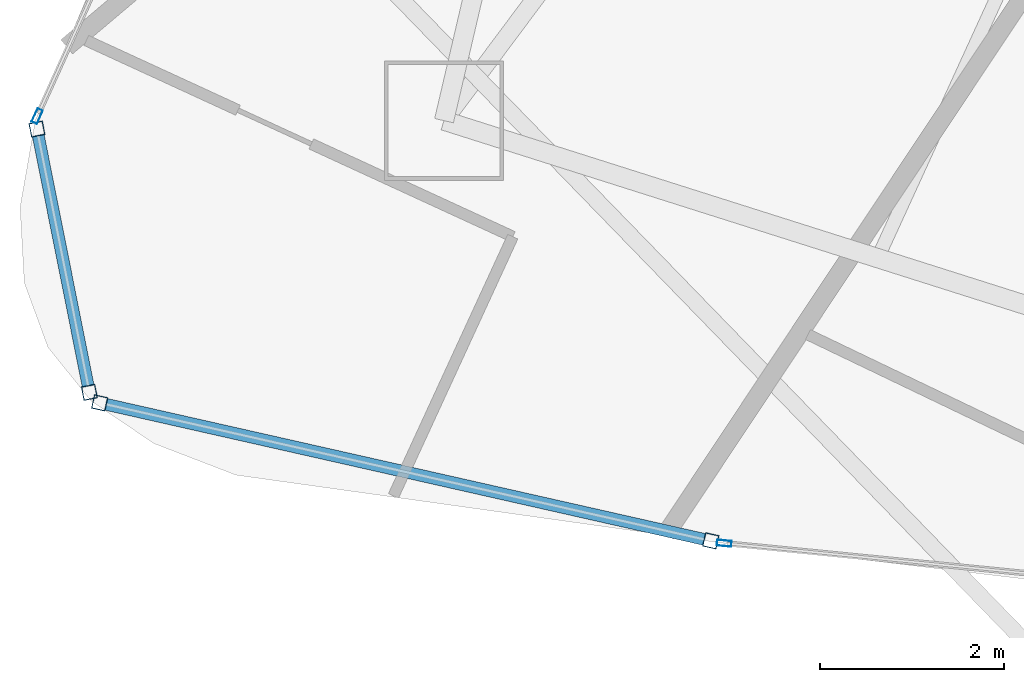
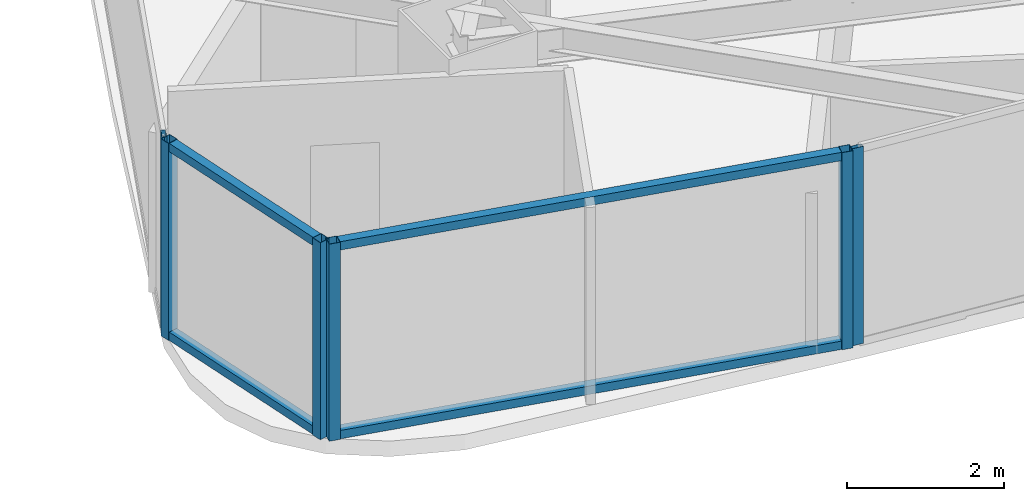
# One storey, part 2 of 33: 10 members, 4 elements without a shape of their own.
"""IFC4 building model written with IfcOpenShell, lengths in metres."""

from ifc_helpers import new_model, si_unit, direction, frame, origin, origin_2d, place, context, subcontext, project, spatial, hollow_rectangle, extrude, material, layer, layer_set, material_profile, profile_set, type_object, element, aggregate, save


model = new_model("IFC4")

# Units and contexts
model_context = context("Model", 3, precision=1e-05, world=origin(), true_north=direction((0.0, 1.0)))
body_context = subcontext(model_context, "Body", "Model", "MODEL_VIEW")
ifc_project = project(units=[si_unit("LENGTHUNIT", "METRE"), si_unit("AREAUNIT", "SQUARE_METRE"), si_unit("VOLUMEUNIT", "CUBIC_METRE"), si_unit("PLANEANGLEUNIT", "RADIAN"), si_unit("MASSUNIT", "GRAM", prefix="KILO")], contexts=[model_context])

# Site, building, storey
site_placement = place(None, origin())
site = spatial("IfcSite", under=ifc_project, at=site_placement, CompositionType="ELEMENT")
building_placement = place(site_placement, origin())
building = spatial("IfcBuilding", under=site, at=building_placement, Name="Orvanel Arch Residences", CompositionType="ELEMENT")
storey_placement = place(building_placement, frame((0.0, 0.0, 209.60009765625)))
storey = spatial("IfcBuildingStorey", under=building, at=storey_placement, Name="L59", CompositionType="ELEMENT", Elevation=209.60009765625)

# Curtain wall, members
ifc_material = material(Name="Bronze-anodised aluminium AA6063-T6", Category="aluminium")
ifc_layer_1 = layer(ifc_material, 0.18994140625)
ifc_layer_set_1 = layer_set([ifc_layer_1], Name="Bronze-anodised aluminium AA6063-T6")
curtain_wall_type_1 = type_object("IfcCurtainWallType", Name="CW5-CRN-SYS", PredefinedType="NOTDEFINED", material=ifc_layer_set_1)
curtain_wall_1_placement = place(storey_placement, origin())
curtain_wall_1 = element("IfcCurtainWall", 1, at=curtain_wall_1_placement, inside=storey, type_object=curtain_wall_type_1, Name="L59 CW5-CRN-SYS Unitised Curtain Wall", PredefinedType="NOTDEFINED")
ifc_material_profile_1 = material_profile(ifc_material, hollow_rectangle(XDim=0.14990234375, YDim=0.14990234375, WallThickness=0.0048828125, at=origin_2d()), Name="ALU150x150x5")
ifc_profile_set_1 = profile_set([ifc_material_profile_1], Name="Bronze-anodised aluminium AA6063-T6")
member_type_1 = type_object("IfcMemberType", Name="MUL-150x150", PredefinedType="MULLION", material=ifc_profile_set_1)
member_1_placement = place(storey_placement, frame((9.7626953125, 10.259521484375, 0.0), z_axis=(0.0, 0.0, 1.0), x_axis=(0.980730420176, 0.195365920622, 0.0)))
member_1 = element("IfcMember", 2, at=member_1_placement, type_object=member_type_1, Name="CW-S5 mullion 1", PredefinedType="MULLION", context=body_context, shape_type="SweptSolid", body=[
    extrude(hollow_rectangle(XDim=0.14990234375, YDim=0.14990234375, WallThickness=0.0048828125, at=origin_2d()), origin(), (0.0, 0.0, 1.0), 3.059814453125),
])
member_2_placement = place(storey_placement, frame((10.334228515625, 7.3896484375, 0.0), z_axis=(0.0, 0.0, 1.0), x_axis=(0.980730420176, 0.195365920622, 0.0)))
member_2 = element("IfcMember", 3, at=member_2_placement, type_object=member_type_1, Name="CW-S5 mullion 2", PredefinedType="MULLION", context=body_context, shape_type="SweptSolid", body=[
    extrude(hollow_rectangle(XDim=0.14990234375, YDim=0.14990234375, WallThickness=0.0048828125, at=origin_2d()), origin(), (0.0, 0.0, 1.0), 3.059814453125),
])

curtain_wall_2_placement = place(storey_placement, origin())
curtain_wall_2 = element("IfcCurtainWall", 4, at=curtain_wall_2_placement, inside=storey, type_object=curtain_wall_type_1, Name="L59 CW5-CRN-SYS Unitised Curtain Wall", PredefinedType="NOTDEFINED")
member_3_placement = place(storey_placement, frame((10.446044921875, 7.275390625, 0.0), z_axis=(0.0, 0.0, 1.0), x_axis=(0.220282866037, 0.975436035284, 0.0)))
member_3 = element("IfcMember", 5, at=member_3_placement, type_object=member_type_1, Name="CW-S5 mullion 1", PredefinedType="MULLION", context=body_context, shape_type="SweptSolid", body=[
    extrude(hollow_rectangle(XDim=0.14990234375, YDim=0.14990234375, WallThickness=0.0048828125, at=origin_2d()), origin(), (0.0, 0.0, 1.0), 3.059814453125),
])
member_4_placement = place(storey_placement, frame((17.10595703125, 5.771484375, 0.0), z_axis=(0.0, 0.0, 1.0), x_axis=(0.220282866037, 0.975436035284, 0.0)))
member_4 = element("IfcMember", 6, at=member_4_placement, type_object=member_type_1, Name="CW-S5 mullion 2", PredefinedType="MULLION", context=body_context, shape_type="SweptSolid", body=[
    extrude(hollow_rectangle(XDim=0.14990234375, YDim=0.14990234375, WallThickness=0.0048828125, at=origin_2d()), origin(), (0.0, 0.0, 1.0), 3.059814453125),
])

# Curtain wall, member
ifc_layer_2 = layer(ifc_material, 0.175048828125)
ifc_layer_set_2 = layer_set([ifc_layer_2], Name="Bronze-anodised aluminium AA6063-T6")
curtain_wall_type_2 = type_object("IfcCurtainWallType", Name="CW4-HI-SYS", PredefinedType="NOTDEFINED", material=ifc_layer_set_2)
curtain_wall_3_placement = place(storey_placement, origin())
curtain_wall_3 = element("IfcCurtainWall", 7, at=curtain_wall_3_placement, inside=storey, type_object=curtain_wall_type_2, Name="L59 CW4-HI-SYS Unitised Curtain Wall", PredefinedType="NOTDEFINED")
ifc_material_profile_2 = material_profile(ifc_material, hollow_rectangle(XDim=0.06494140625, YDim=0.159912109375, WallThickness=0.00390625, at=origin_2d()), Name="ALU160x65x4")
ifc_profile_set_2 = profile_set([ifc_material_profile_2], Name="Bronze-anodised aluminium AA6063-T6")
member_type_2 = type_object("IfcMemberType", Name="MUL-160x65", PredefinedType="MULLION", material=ifc_profile_set_2)
member_5_placement = place(storey_placement, frame((9.765380859375, 10.400634765625, 0.0), z_axis=(0.0, 0.0, 1.0), x_axis=(0.911395859217, -0.411530785971, 0.0)))
member_5 = element("IfcMember", 8, at=member_5_placement, type_object=member_type_2, Name="CW-S4 mullion 3", PredefinedType="MULLION", context=body_context, shape_type="SweptSolid", body=[
    extrude(hollow_rectangle(XDim=0.06494140625, YDim=0.159912109375, WallThickness=0.00390625, at=origin_2d()), origin(), (0.0, 0.0, 1.0), 3.059814453125),
])
aggregate(curtain_wall_3, [member_5])

curtain_wall_4_placement = place(storey_placement, origin())
curtain_wall_4 = element("IfcCurtainWall", 9, at=curtain_wall_4_placement, inside=storey, type_object=curtain_wall_type_2, Name="L59 CW4-HI-SYS Unitised Curtain Wall", PredefinedType="NOTDEFINED")
member_6_placement = place(storey_placement, frame((17.251220703125, 5.745849609375, 0.0), z_axis=(0.0, 0.0, 1.0), x_axis=(0.098621122229, 0.995125054579, 0.0)))
member_6 = element("IfcMember", 10, at=member_6_placement, type_object=member_type_2, Name="CW-S4 mullion 1", PredefinedType="MULLION", context=body_context, shape_type="SweptSolid", body=[
    extrude(hollow_rectangle(XDim=0.06494140625, YDim=0.159912109375, WallThickness=0.00390625, at=origin_2d()), origin(), (0.0, 0.0, 1.0), 3.059814453125),
])
aggregate(curtain_wall_4, [member_6])

# Member
ifc_material_profile_3 = material_profile(ifc_material, hollow_rectangle(XDim=0.1298828125, YDim=0.1298828125, WallThickness=0.00439453125, at=origin_2d()), Name="ALU130x130x4.5")
ifc_profile_set_3 = profile_set([ifc_material_profile_3], Name="Bronze-anodised aluminium AA6063-T6")
member_type_3 = type_object("IfcMemberType", Name="TRN-130x130", PredefinedType="USERDEFINED", material=ifc_profile_set_3)
member_7_placement = place(storey_placement, frame((9.77734375, 10.185791015625, 0.06494140625), z_axis=(0.1953212021, -0.980739327248, 0.0), x_axis=(0.980739327248, 0.1953212021, 0.0)))
member_7 = element("IfcMember", 11, at=member_7_placement, type_object=member_type_3, Name="CW-S5 transom 1.1", ObjectType="TRANSOM", PredefinedType="USERDEFINED", context=body_context, shape_type="SweptSolid", body=[
    extrude(hollow_rectangle(XDim=0.1298828125, YDim=0.1298828125, WallThickness=0.00439453125, at=origin_2d()), origin(), (0.0, 0.0, 1.0), 2.776123046875),
])

member_8_placement = place(storey_placement, frame((9.77734375, 10.185791015625, 2.994873046875), z_axis=(0.1953212021, -0.980739327248, 0.0), x_axis=(0.980739327248, 0.1953212021, 0.0)))
member_8 = element("IfcMember", 12, at=member_8_placement, type_object=member_type_3, Name="CW-S5 transom 1.2", ObjectType="TRANSOM", PredefinedType="USERDEFINED", context=body_context, shape_type="SweptSolid", body=[
    extrude(hollow_rectangle(XDim=0.1298828125, YDim=0.1298828125, WallThickness=0.00439453125, at=origin_2d()), origin(), (0.0, 0.0, 1.0), 2.776123046875),
])

aggregate(curtain_wall_1, [member_1, member_2, member_7, member_8])

member_9_placement = place(storey_placement, frame((10.519287109375, 7.259033203125, 0.06494140625), z_axis=(0.975435426968, -0.220285559709, 0.0), x_axis=(0.220285559709, 0.975435426968, 0.0)))
member_9 = element("IfcMember", 13, at=member_9_placement, type_object=member_type_3, Name="CW-S5 transom 1.1", ObjectType="TRANSOM", PredefinedType="USERDEFINED", context=body_context, shape_type="SweptSolid", body=[
    extrude(hollow_rectangle(XDim=0.1298828125, YDim=0.1298828125, WallThickness=0.00439453125, at=origin_2d()), origin(), (0.0, 0.0, 1.0), 6.677490234375),
])

member_10_placement = place(storey_placement, frame((10.519287109375, 7.259033203125, 2.994873046875), z_axis=(0.975435426968, -0.220285559709, 0.0), x_axis=(0.220285559709, 0.975435426968, 0.0)))
member_10 = element("IfcMember", 14, at=member_10_placement, type_object=member_type_3, Name="CW-S5 transom 1.2", ObjectType="TRANSOM", PredefinedType="USERDEFINED", context=body_context, shape_type="SweptSolid", body=[
    extrude(hollow_rectangle(XDim=0.1298828125, YDim=0.1298828125, WallThickness=0.00439453125, at=origin_2d()), origin(), (0.0, 0.0, 1.0), 6.677490234375),
])

aggregate(curtain_wall_2, [member_3, member_4, member_9, member_10])

save(model, "model.ifc")
